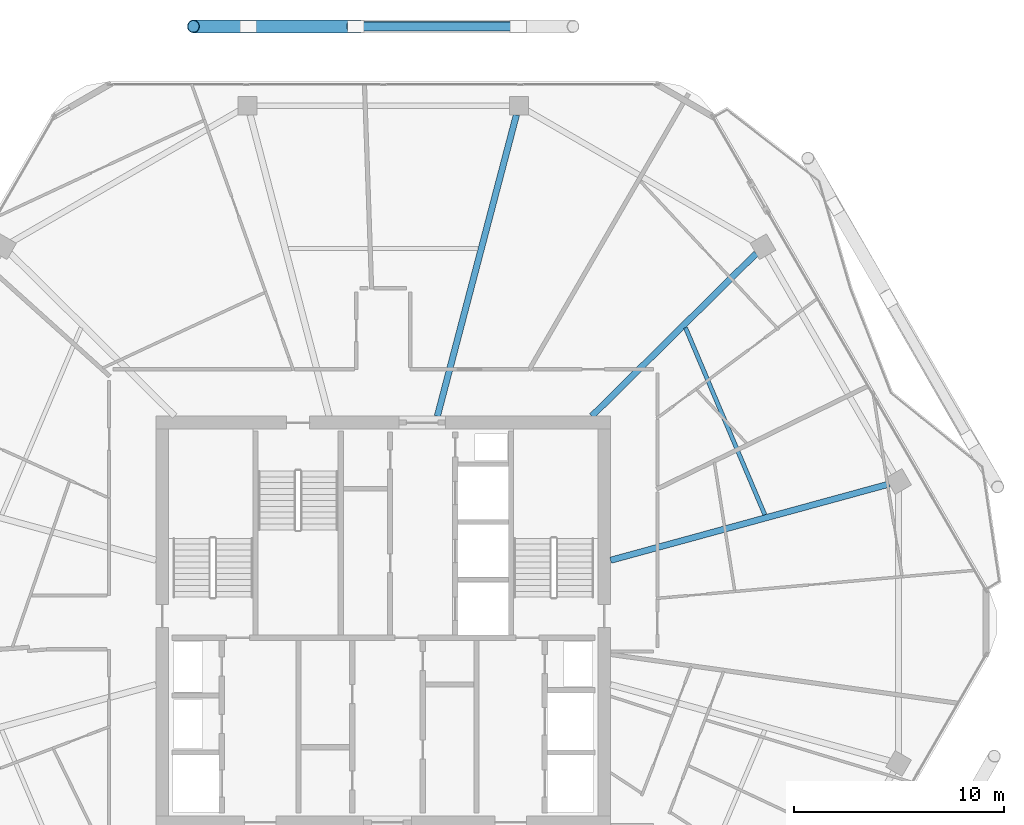
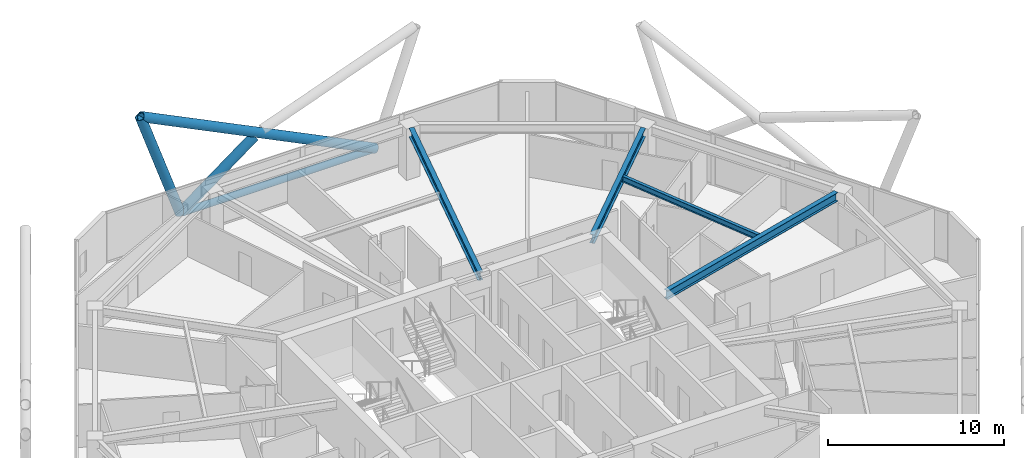
# One storey, part 16 of 27: 4 beams, 4 members.
"""IFC4 building model written with IfcOpenShell, lengths in metres."""

from ifc_helpers import new_model, si_unit, direction, frame, origin, origin_2d, place, context, subcontext, project, spatial, hollow_circle, i_section, extrude, material, material_profile, profile_set, type_object, element, save


model = new_model("IFC4")

# Units and contexts
model_context = context("Model", 3, precision=1e-05, world=origin(), true_north=direction((0.0, 1.0)))
body_context = subcontext(model_context, "Body", "Model", "MODEL_VIEW")
ifc_project = project(units=[si_unit("LENGTHUNIT", "METRE"), si_unit("AREAUNIT", "SQUARE_METRE"), si_unit("VOLUMEUNIT", "CUBIC_METRE"), si_unit("PLANEANGLEUNIT", "RADIAN"), si_unit("MASSUNIT", "GRAM", prefix="KILO")], contexts=[model_context])

# Site, building, storey
site_placement = place(None, origin())
site = spatial("IfcSite", under=ifc_project, at=site_placement, CompositionType="ELEMENT")
building_placement = place(site_placement, origin())
building = spatial("IfcBuilding", under=site, at=building_placement, Name="Zuhravey Tower", CompositionType="ELEMENT")
storey_placement = place(building_placement, frame((0.0, 0.0, 238.800048828125)))
storey = spatial("IfcBuildingStorey", under=building, at=storey_placement, Name="L60", CompositionType="ELEMENT", Elevation=238.800048828125)

# Members
ifc_material = material(Name="Steel SM355", Category="steel")
ifc_material_profile_1 = material_profile(ifc_material, hollow_circle(Radius=0.228515625, WallThickness=0.02197265625, at=origin_2d()), Name="CHS-457.2x22")
ifc_profile_set_1 = profile_set([ifc_material_profile_1], Name="Steel SM355")
member_type_1 = type_object("IfcMemberType", Name="Exoskeleton Ring Tie CHS457x22", PredefinedType="CHORD", material=ifc_profile_set_1)
member_1_placement = place(storey_placement, frame((42.267578125, 60.323486328125, -0.464111328125), z_axis=(-1.0, 0.0, 0.0), x_axis=(0.0, -1.0, 0.0)))
element("IfcMember", 1, at=member_1_placement, inside=storey, type_object=member_type_1, Name="L60 Exoskeleton Face 2 Tie EXR1", PredefinedType="CHORD", context=body_context, shape_type="SweptSolid", body=[
    extrude(hollow_circle(Radius=0.228515625, WallThickness=0.02197265625, at=origin_2d()), origin(), (0.0, 0.0, 1.0), 12.53515625),
])
ifc_material_profile_2 = material_profile(ifc_material, hollow_circle(Radius=0.3046875, WallThickness=0.028076171875, at=origin_2d()), Name="CHS-609.6x28")
ifc_profile_set_2 = profile_set([ifc_material_profile_2], Name="Steel SM355")
member_type_2 = type_object("IfcMemberType", Name="Exoskeleton Zone 3 Diagrid CHS610x28", PredefinedType="BRACE", material=ifc_profile_set_2)
member_2_placement = place(storey_placement, frame((42.37109375, 60.323486328125, -0.446044921875), z_axis=(-0.897161810558, 0.0, 0.441702032683), x_axis=(0.0, -1.0, 0.0)))
element("IfcMember", 2, at=member_2_placement, inside=storey, type_object=member_type_2, Name="L60 Face 2 Diagrid Brace 2", PredefinedType="BRACE", context=body_context, shape_type="SweptSolid", body=[
    extrude(hollow_circle(Radius=0.3046875, WallThickness=0.028076171875, at=origin_2d()), origin(), (0.0, 0.0, 1.0), 17.12451171875),
])
member_3_placement = place(storey_placement, frame((29.586181640625, 60.323486328125, -0.446044921875), z_axis=(-0.326060268586, 0.0, 0.945348983841), x_axis=(0.0, -1.0, 0.0)))
element("IfcMember", 3, at=member_3_placement, inside=storey, type_object=member_type_2, Name="L60 Face 2 Diagrid Brace 4", PredefinedType="BRACE", context=body_context, shape_type="SweptSolid", body=[
    extrude(hollow_circle(Radius=0.3046875, WallThickness=0.028076171875, at=origin_2d()), origin(), (0.0, 0.0, 1.0), 8.001220703125),
])
member_4_placement = place(storey_placement, frame((29.625, 60.323486328125, -0.439697265625), z_axis=(0.801714073603, 0.0, 0.597707741448), x_axis=(0.0, 1.0, 0.0)))
element("IfcMember", 4, at=member_4_placement, inside=storey, type_object=member_type_2, Name="L60 Face 2 Split Diagrid Brace 3A", PredefinedType="BRACE", context=body_context, shape_type="SweptSolid", body=[
    extrude(hollow_circle(Radius=0.3046875, WallThickness=0.028076171875, at=origin_2d()), origin(), (0.0, 0.0, 1.0), 6.02197265625),
])

# Beams
ifc_material_profile_3 = material_profile(ifc_material, i_section(OverallWidth=0.300048828125, OverallDepth=0.60009765625, WebThickness=0.011962890625, FlangeThickness=0.02001953125, at=origin_2d()), Name="H-600x300x12x20")
ifc_profile_set_3 = profile_set([ifc_material_profile_3], Name="Steel SM355")
beam_type_1 = type_object("IfcBeamType", Name="Radial Primary Girder H600x300", PredefinedType="BEAM", material=ifc_profile_set_3)
beam_1_placement = place(storey_placement, frame((46.802978515625, 34.95556640625, 3.25), z_axis=(0.964548913045, 0.26390413855, 0.0), x_axis=(-0.26390413855, 0.964548913045, 0.0)))
element("IfcBeam", 5, at=beam_1_placement, inside=storey, type_object=beam_type_1, Name="L60 RG3 BM-L60-RAD-01", PredefinedType="BEAM", context=body_context, shape_type="SweptSolid", body=[
    extrude(i_section(OverallWidth=0.300048828125, OverallDepth=0.60009765625, WebThickness=0.011962890625, FlangeThickness=0.02001953125, at=origin_2d()), origin(), (0.0, 0.0, 1.0), 13.7314453125),
])
beam_2_placement = place(storey_placement, frame((45.90673828125, 41.802978515625, 3.25), z_axis=(0.710816516282, 0.703377480576, 0.0), x_axis=(-0.703377480576, 0.710816516282, 0.0)))
element("IfcBeam", 6, at=beam_2_placement, inside=storey, type_object=beam_type_1, Name="L60 RG3 BM-L60-RAD-02", PredefinedType="BEAM", context=body_context, shape_type="SweptSolid", body=[
    extrude(i_section(OverallWidth=0.300048828125, OverallDepth=0.60009765625, WebThickness=0.011962890625, FlangeThickness=0.02001953125, at=origin_2d()), origin(), (0.0, 0.0, 1.0), 10.994384765625),
])
beam_3_placement = place(storey_placement, frame((38.571533203125, 41.802978515625, 3.25), z_axis=(0.253731415841, 0.967274712073, 0.0), x_axis=(-0.967274712073, 0.253731415841, 0.0)))
element("IfcBeam", 7, at=beam_3_placement, inside=storey, type_object=beam_type_1, Name="L60 RG3 BM-L60-RAD-03", PredefinedType="BEAM", context=body_context, shape_type="SweptSolid", body=[
    extrude(i_section(OverallWidth=0.300048828125, OverallDepth=0.60009765625, WebThickness=0.011962890625, FlangeThickness=0.02001953125, at=origin_2d()), origin(), (0.0, 0.0, 1.0), 14.796630859375),
])
ifc_material_profile_4 = material_profile(ifc_material, i_section(OverallWidth=0.199951171875, OverallDepth=0.39990234375, WebThickness=0.008056640625, FlangeThickness=0.012939453125, at=origin_2d()), Name="H-400x200x8x13")
ifc_profile_set_4 = profile_set([ifc_material_profile_4], Name="Steel SM355")
beam_type_2 = type_object("IfcBeamType", Name="Secondary Floor Joist H400x200", PredefinedType="JOIST", material=ifc_profile_set_4)
beam_4_placement = place(storey_placement, frame((54.130859375, 37.118896484375, 3.349853515625), z_axis=(-0.390413493754, 0.920639616731, 0.0), x_axis=(-0.920639616731, -0.390413493754, 0.0)))
element("IfcBeam", 8, at=beam_4_placement, inside=storey, type_object=beam_type_2, Name="L60 SJ2 BM-L60-SJ-01-1", PredefinedType="JOIST", context=body_context, shape_type="SweptSolid", body=[
    extrude(i_section(OverallWidth=0.199951171875, OverallDepth=0.39990234375, WebThickness=0.008056640625, FlangeThickness=0.012939453125, at=origin_2d()), origin(), (0.0, 0.0, 1.0), 9.656494140625),
])

save(model, "model.ifc")
